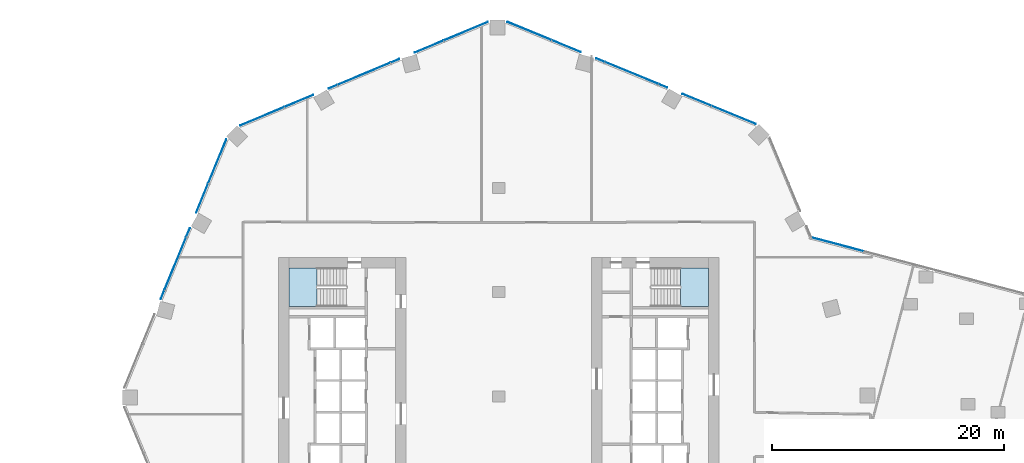
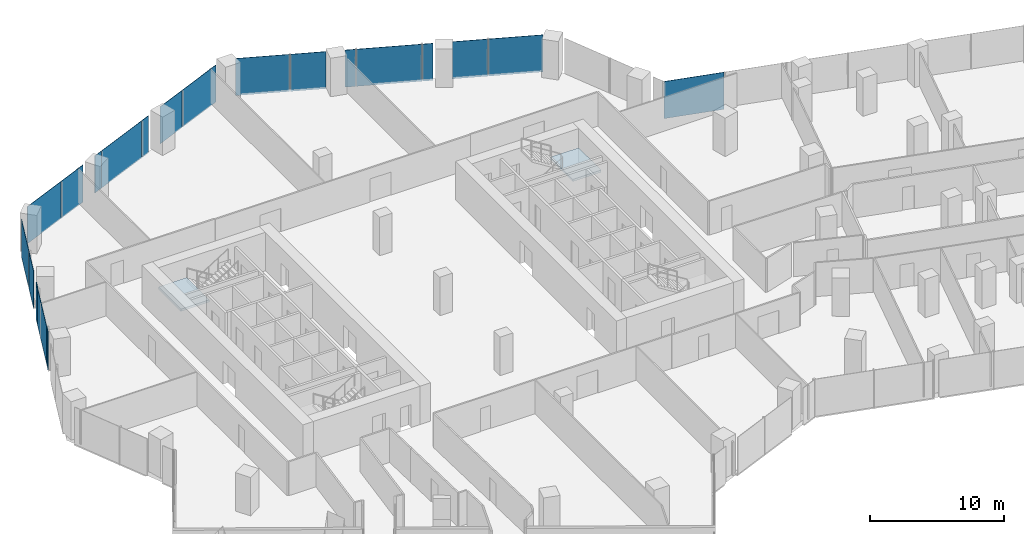
# One storey, part 24 of 34: 20 plates, 2 slabs, 6 elements without a shape of their own.
"""IFC4 building model written with IfcOpenShell, lengths in metres."""

from ifc_helpers import new_model, si_unit, direction, frame, origin, origin_2d, place, context, subcontext, project, spatial, polyline, rectangle, outline, extrude, material, layer, layer_set, type_object, element, aggregate, save


model = new_model("IFC4")

# Units and contexts
model_context = context("Model", 3, precision=1e-05, world=origin(), true_north=direction((0.0, 1.0)))
body_context = subcontext(model_context, "Body", "Model", "MODEL_VIEW")
ifc_project = project(units=[si_unit("LENGTHUNIT", "METRE"), si_unit("AREAUNIT", "SQUARE_METRE"), si_unit("VOLUMEUNIT", "CUBIC_METRE"), si_unit("PLANEANGLEUNIT", "RADIAN"), si_unit("MASSUNIT", "GRAM", prefix="KILO")], contexts=[model_context])

# Site, building, storey
site_placement = place(None, origin())
site = spatial("IfcSite", under=ifc_project, at=site_placement, CompositionType="ELEMENT")
building_placement = place(site_placement, origin())
building = spatial("IfcBuilding", under=site, at=building_placement, Name="Orlundy Tower", CompositionType="ELEMENT")
storey_placement = place(building_placement, frame((0.0, 0.0, 105.699951171875)))
storey = spatial("IfcBuildingStorey", under=building, at=storey_placement, Name="L26", CompositionType="ELEMENT", Elevation=105.699951171875)

# Curtain wall, plates
ifc_material_1 = material(Name="Aluminium bronze anodised", Category="aluminium")
curtain_wall_type = type_object("IfcCurtainWallType", Name="CW1 wall", PredefinedType="NOTDEFINED", material=ifc_material_1)
curtain_wall_1_placement = place(storey_placement, origin())
curtain_wall_1 = element("IfcCurtainWall", 1, at=curtain_wall_1_placement, inside=storey, type_object=curtain_wall_type, Name="CW1 run 014", PredefinedType="NOTDEFINED")
ifc_material_2 = material(Name="Tinted glass", Category="glass")
ifc_layer_1 = layer(ifc_material_2, 0.031982421875)
ifc_layer_set_1 = layer_set([ifc_layer_1], Name="CW1 glass panel 32")
plate_type = type_object("IfcPlateType", Name="CW1 glass panel 32", PredefinedType="CURTAIN_PANEL", material=ifc_layer_set_1)
plate_1_placement = place(storey_placement, frame((-29.0068359375, 8.77197265625, -0.27978515625), z_axis=(0.0, 0.0, 1.0), x_axis=(0.380004927003, 0.924984462277, 0.0)))
plate_1 = element("IfcPlate", 2, at=plate_1_placement, type_object=plate_type, Name="CW1 panel", PredefinedType="CURTAIN_PANEL", context=body_context, shape_type="SweptSolid", body=[
    extrude(rectangle(XDim=0.796630859375, YDim=0.031982421875, at=origin_2d()), origin(), (0.0, 0.0, 1.0), 3.3798828125),
])
plate_2_placement = place(storey_placement, frame((-27.901611328125, 11.46240234375, -0.27978515625), z_axis=(0.0, 0.0, 1.0), x_axis=(0.380004927003, 0.924984462277, 0.0)))
plate_2 = element("IfcPlate", 3, at=plate_2_placement, type_object=plate_type, Name="CW1 panel", PredefinedType="CURTAIN_PANEL", context=body_context, shape_type="SweptSolid", body=[
    extrude(rectangle(XDim=4.92041015625, YDim=0.031982421875, at=origin_2d()), origin(), (0.0, 0.0, 1.0), 3.3798828125),
])
plate_3_placement = place(storey_placement, frame((-26.79638671875, 14.15283203125, -0.27978515625), z_axis=(0.0, 0.0, 1.0), x_axis=(0.380004927003, 0.924984462277, 0.0)))
plate_3 = element("IfcPlate", 4, at=plate_3_placement, type_object=plate_type, Name="CW1 panel", PredefinedType="CURTAIN_PANEL", context=body_context, shape_type="SweptSolid", body=[
    extrude(rectangle(XDim=0.796875, YDim=0.031982421875, at=origin_2d()), origin(), (0.0, 0.0, 1.0), 3.3798828125),
])
plate_4_placement = place(storey_placement, frame((-25.589599609375, 17.090576171875, -0.27978515625), z_axis=(0.0, 0.0, 1.0), x_axis=(0.380004927003, 0.924984462277, 0.0)))
plate_4 = element("IfcPlate", 5, at=plate_4_placement, type_object=plate_type, Name="CW1 panel", PredefinedType="CURTAIN_PANEL", context=body_context, shape_type="SweptSolid", body=[
    extrude(rectangle(XDim=2.692138671875, YDim=0.031982421875, at=origin_2d()), origin(), (0.0, 0.0, 1.0), 3.3798828125),
])
plate_5_placement = place(storey_placement, frame((-24.28125, 20.275146484375, -0.27978515625), z_axis=(0.0, 0.0, 1.0), x_axis=(0.380004927003, 0.924984462277, 0.0)))
plate_5 = element("IfcPlate", 6, at=plate_5_placement, type_object=plate_type, Name="CW1 panel", PredefinedType="CURTAIN_PANEL", context=body_context, shape_type="SweptSolid", body=[
    extrude(rectangle(XDim=4.093505859375, YDim=0.031982421875, at=origin_2d()), origin(), (0.0, 0.0, 1.0), 3.3798828125),
])
aggregate(curtain_wall_1, [plate_1, plate_2, plate_3, plate_4, plate_5])

curtain_wall_2_placement = place(storey_placement, origin())
curtain_wall_2 = element("IfcCurtainWall", 7, at=curtain_wall_2_placement, inside=storey, type_object=curtain_wall_type, Name="CW1 run 015", PredefinedType="NOTDEFINED")
plate_6_placement = place(storey_placement, frame((-20.416015625, 24.16259765625, -0.27978515625), z_axis=(0.0, 0.0, 1.0), x_axis=(0.922759964351, 0.385375204433, 0.0)))
plate_6 = element("IfcPlate", 8, at=plate_6_placement, type_object=plate_type, Name="CW1 panel", PredefinedType="CURTAIN_PANEL", context=body_context, shape_type="SweptSolid", body=[
    extrude(rectangle(XDim=4.093505859375, YDim=0.031982421875, at=origin_2d()), origin(), (0.0, 0.0, 1.0), 3.3798828125),
])
plate_7_placement = place(storey_placement, frame((-17.24072265625, 25.48876953125, -0.27978515625), z_axis=(0.0, 0.0, 1.0), x_axis=(0.922759964351, 0.385375204433, 0.0)))
plate_7 = element("IfcPlate", 9, at=plate_7_placement, type_object=plate_type, Name="CW1 panel", PredefinedType="CURTAIN_PANEL", context=body_context, shape_type="SweptSolid", body=[
    extrude(rectangle(XDim=2.688720703125, YDim=0.031982421875, at=origin_2d()), origin(), (0.0, 0.0, 1.0), 3.3798828125),
])
plate_8_placement = place(storey_placement, frame((-14.308349609375, 26.71337890625, -0.27978515625), z_axis=(0.0, 0.0, 1.0), x_axis=(0.922759964351, 0.385375204433, 0.0)))
plate_8 = element("IfcPlate", 10, at=plate_8_placement, type_object=plate_type, Name="CW1 panel", PredefinedType="CURTAIN_PANEL", context=body_context, shape_type="SweptSolid", body=[
    extrude(rectangle(XDim=0.796630859375, YDim=0.031982421875, at=origin_2d()), origin(), (0.0, 0.0, 1.0), 3.3798828125),
])
plate_9_placement = place(storey_placement, frame((-11.624267578125, 27.834228515625, -0.27978515625), z_axis=(0.0, 0.0, 1.0), x_axis=(0.922759964351, 0.385375204433, 0.0)))
plate_9 = element("IfcPlate", 11, at=plate_9_placement, type_object=plate_type, Name="CW1 panel", PredefinedType="CURTAIN_PANEL", context=body_context, shape_type="SweptSolid", body=[
    extrude(rectangle(XDim=4.920654296875, YDim=0.031982421875, at=origin_2d()), origin(), (0.0, 0.0, 1.0), 3.3798828125),
])
plate_10_placement = place(storey_placement, frame((-8.940185546875, 28.955322265625, -0.27978515625), z_axis=(0.0, 0.0, 1.0), x_axis=(0.922759964351, 0.385375204433, 0.0)))
plate_10 = element("IfcPlate", 12, at=plate_10_placement, type_object=plate_type, Name="CW1 panel", PredefinedType="CURTAIN_PANEL", context=body_context, shape_type="SweptSolid", body=[
    extrude(rectangle(XDim=0.79638671875, YDim=0.031982421875, at=origin_2d()), origin(), (0.0, 0.0, 1.0), 3.3798828125),
])
plate_11_placement = place(storey_placement, frame((-6.007568359375, 30.18017578125, -0.27978515625), z_axis=(0.0, 0.0, 1.0), x_axis=(0.922759964351, 0.385375204433, 0.0)))
plate_11 = element("IfcPlate", 13, at=plate_11_placement, type_object=plate_type, Name="CW1 panel", PredefinedType="CURTAIN_PANEL", context=body_context, shape_type="SweptSolid", body=[
    extrude(rectangle(XDim=2.6884765625, YDim=0.031982421875, at=origin_2d()), origin(), (0.0, 0.0, 1.0), 3.3798828125),
])
plate_12_placement = place(storey_placement, frame((-2.832763671875, 31.505859375, -0.27978515625), z_axis=(0.0, 0.0, 1.0), x_axis=(0.922759964351, 0.385375204433, 0.0)))
plate_12 = element("IfcPlate", 14, at=plate_12_placement, type_object=plate_type, Name="CW1 panel", PredefinedType="CURTAIN_PANEL", context=body_context, shape_type="SweptSolid", body=[
    extrude(rectangle(XDim=4.0927734375, YDim=0.031982421875, at=origin_2d()), origin(), (0.0, 0.0, 1.0), 3.3798828125),
])
aggregate(curtain_wall_2, [plate_6, plate_7, plate_8, plate_9, plate_10, plate_11, plate_12])

curtain_wall_3_placement = place(storey_placement, origin())
curtain_wall_3 = element("IfcCurtainWall", 15, at=curtain_wall_3_placement, inside=storey, type_object=curtain_wall_type, Name="CW1 run 016", PredefinedType="NOTDEFINED")
plate_13_placement = place(storey_placement, frame((2.649169921875, 31.522216796875, -0.27978515625), z_axis=(0.0, 0.0, 1.0), x_axis=(0.924984462277, -0.380004927003, 0.0)))
plate_13 = element("IfcPlate", 16, at=plate_13_placement, type_object=plate_type, Name="CW1 panel", PredefinedType="CURTAIN_PANEL", context=body_context, shape_type="SweptSolid", body=[
    extrude(rectangle(XDim=4.09423828125, YDim=0.031982421875, at=origin_2d()), origin(), (0.0, 0.0, 1.0), 3.3798828125),
])
plate_14_placement = place(storey_placement, frame((5.835205078125, 30.21337890625, -0.27978515625), z_axis=(0.0, 0.0, 1.0), x_axis=(0.924984462277, -0.380004927003, 0.0)))
plate_14 = element("IfcPlate", 17, at=plate_14_placement, type_object=plate_type, Name="CW1 panel", PredefinedType="CURTAIN_PANEL", context=body_context, shape_type="SweptSolid", body=[
    extrude(rectangle(XDim=2.694580078125, YDim=0.031982421875, at=origin_2d()), origin(), (0.0, 0.0, 1.0), 3.3798828125),
])
plate_15_placement = place(storey_placement, frame((8.77197265625, 29.0068359375, -0.27978515625), z_axis=(0.0, 0.0, 1.0), x_axis=(0.924984462277, -0.380004927003, 0.0)))
plate_15 = element("IfcPlate", 18, at=plate_15_placement, type_object=plate_type, Name="CW1 panel", PredefinedType="CURTAIN_PANEL", context=body_context, shape_type="SweptSolid", body=[
    extrude(rectangle(XDim=0.796630859375, YDim=0.031982421875, at=origin_2d()), origin(), (0.0, 0.0, 1.0), 3.3798828125),
])
plate_16_placement = place(storey_placement, frame((11.46240234375, 27.901611328125, -0.27978515625), z_axis=(0.0, 0.0, 1.0), x_axis=(0.924984462277, -0.380004927003, 0.0)))
plate_16 = element("IfcPlate", 19, at=plate_16_placement, type_object=plate_type, Name="CW1 panel", PredefinedType="CURTAIN_PANEL", context=body_context, shape_type="SweptSolid", body=[
    extrude(rectangle(XDim=4.92041015625, YDim=0.031982421875, at=origin_2d()), origin(), (0.0, 0.0, 1.0), 3.3798828125),
])
plate_17_placement = place(storey_placement, frame((14.15283203125, 26.79638671875, -0.27978515625), z_axis=(0.0, 0.0, 1.0), x_axis=(0.924984462277, -0.380004927003, 0.0)))
plate_17 = element("IfcPlate", 20, at=plate_17_placement, type_object=plate_type, Name="CW1 panel", PredefinedType="CURTAIN_PANEL", context=body_context, shape_type="SweptSolid", body=[
    extrude(rectangle(XDim=0.796875, YDim=0.031982421875, at=origin_2d()), origin(), (0.0, 0.0, 1.0), 3.3798828125),
])
plate_18_placement = place(storey_placement, frame((17.090576171875, 25.589599609375, -0.27978515625), z_axis=(0.0, 0.0, 1.0), x_axis=(0.924984462277, -0.380004927003, 0.0)))
plate_18 = element("IfcPlate", 21, at=plate_18_placement, type_object=plate_type, Name="CW1 panel", PredefinedType="CURTAIN_PANEL", context=body_context, shape_type="SweptSolid", body=[
    extrude(rectangle(XDim=2.692138671875, YDim=0.031982421875, at=origin_2d()), origin(), (0.0, 0.0, 1.0), 3.3798828125),
])
plate_19_placement = place(storey_placement, frame((20.275146484375, 24.28125, -0.27978515625), z_axis=(0.0, 0.0, 1.0), x_axis=(0.924984462277, -0.380004927003, 0.0)))
plate_19 = element("IfcPlate", 22, at=plate_19_placement, type_object=plate_type, Name="CW1 panel", PredefinedType="CURTAIN_PANEL", context=body_context, shape_type="SweptSolid", body=[
    extrude(rectangle(XDim=4.093505859375, YDim=0.031982421875, at=origin_2d()), origin(), (0.0, 0.0, 1.0), 3.3798828125),
])
aggregate(curtain_wall_3, [plate_13, plate_14, plate_15, plate_16, plate_17, plate_18, plate_19])

# Curtain wall, plate
curtain_wall_4_placement = place(storey_placement, origin())
curtain_wall_4 = element("IfcCurtainWall", 23, at=curtain_wall_4_placement, inside=storey, type_object=curtain_wall_type, Name="CW1 run 018", PredefinedType="NOTDEFINED")
plate_20_placement = place(storey_placement, frame((29.20654296875, 13.12451171875, -0.27978515625), z_axis=(0.0, 0.0, 1.0), x_axis=(0.966671560598, -0.256019713949, 0.0)))
plate_20 = element("IfcPlate", 24, at=plate_20_placement, type_object=plate_type, Name="CW1 panel", PredefinedType="CURTAIN_PANEL", context=body_context, shape_type="SweptSolid", body=[
    extrude(rectangle(XDim=4.649658203125, YDim=0.031982421875, at=origin_2d()), origin(), (0.0, 0.0, 1.0), 3.3798828125),
])
aggregate(curtain_wall_4, [plate_20])

# Stair, slab
ifc_material_3 = material(Name="Concrete C50/60", Category="concrete")
stair_type = type_object("IfcStairType", Name="Exit Stair 20 risers", PredefinedType="HALF_TURN_STAIR", material=ifc_material_3)
stair_1_placement = place(storey_placement, origin())
stair_1 = element("IfcStair", 25, at=stair_1_placement, inside=storey, type_object=stair_type, Name="L26 Exit Stair ST-W1", PredefinedType="HALF_TURN_STAIR")
ifc_material_4 = material(Name="Concrete C50/60", Category="concrete")
ifc_layer_2 = layer(ifc_material_4, 0.199951171875)
ifc_layer_set_2 = layer_set([ifc_layer_2], Name="Exit Stair Landing")
slab_type = type_object("IfcSlabType", Name="Exit Stair Landing", PredefinedType="LANDING", material=ifc_layer_set_2)
slab_1_placement = place(storey_placement, frame((0.0, 0.0, 1.550048828125)))
slab_1 = element("IfcSlab", 26, at=slab_1_placement, type_object=slab_type, Name="ST-W1 landing 1", PredefinedType="LANDING", context=body_context, shape_type="SweptSolid", body=[
    extrude(outline(polyline([(-15.659912109375, 11.10009765625), (-18.10009765625, 11.10009765625), (-18.10009765625, 7.75), (-15.659912109375, 7.75), (-15.659912109375, 11.10009765625)])), origin(), (0.0, 0.0, 1.0), 0.199951171875),
])
aggregate(stair_1, [slab_1])

stair_2_placement = place(storey_placement, origin())
stair_2 = element("IfcStair", 27, at=stair_2_placement, inside=storey, type_object=stair_type, Name="L26 Exit Stair ST-E2", PredefinedType="HALF_TURN_STAIR")
slab_2_placement = place(storey_placement, frame((0.0, 0.0, 1.550048828125)))
slab_2 = element("IfcSlab", 28, at=slab_2_placement, type_object=slab_type, Name="ST-E2 landing 1", PredefinedType="LANDING", context=body_context, shape_type="SweptSolid", body=[
    extrude(outline(polyline([(15.659912109375, 7.75), (18.10009765625, 7.75), (18.10009765625, 11.10009765625), (15.659912109375, 11.10009765625), (15.659912109375, 7.75)])), origin(), (0.0, 0.0, 1.0), 0.199951171875),
])
aggregate(stair_2, [slab_2])

save(model, "model.ifc")
